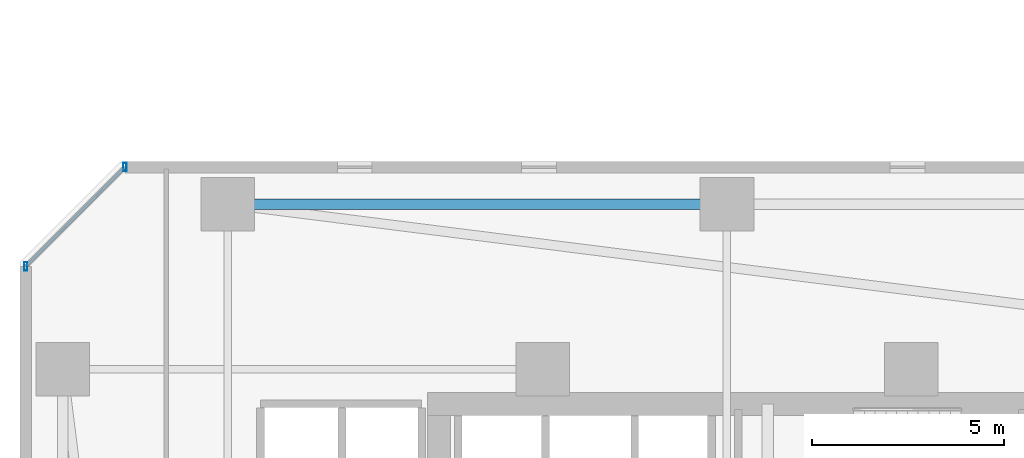
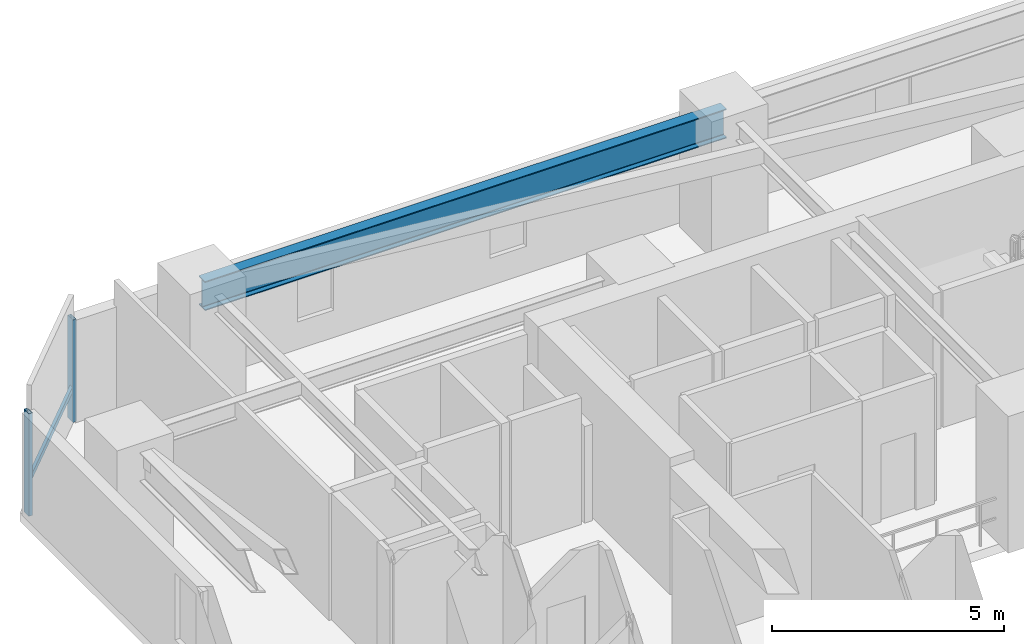
# One storey, part 8 of 35: 3 members, 1 beam, 1 element without a shape of its own.
"""IFC4 building model written with IfcOpenShell, lengths in metres."""

import ifcopenshell
import ifcopenshell.guid

model = None  # the IFC model being written
_history = None  # IfcOwnerHistory: only IFC2X3 demands one
_inside = {}  # id of a spatial element -> (the spatial element, [elements in it])
_under = {}  # id of a project, library or spatial element -> (it, [spatial elements below it])
_declared = {}  # id of a project -> (the project, [libraries it declares])
_typed = {}  # id of a type object -> (the type object, [elements of that type])
_made_of = {}  # id of a material, layer set ... -> (it, [elements and type objects made of it])


def new_model(schema):
    """Start an empty IFC model of exactly this schema.

    Asked for "IFC4X3", IfcOpenShell would pick the latest addendum, in which some entities
    have other attributes; the version numbers below select the first issue.
    IFC2X3 requires an IfcOwnerHistory on every rooted entity: one is made here for all.
    """
    global model, _history
    if schema == "IFC4X3":
        model = ifcopenshell.file(schema_version=(4, 3, 0, 0))
    else:
        model = ifcopenshell.file(schema=schema)
    _inside.clear()
    _under.clear()
    _declared.clear()
    _typed.clear()
    _made_of.clear()
    _history = None
    if model.schema == "IFC2X3":
        org = make("IfcOrganization", Name="unknown")
        user = make(
            "IfcPersonAndOrganization",
            ThePerson=make("IfcPerson", FamilyName="unknown"),
            TheOrganization=org,
        )
        app = make(
            "IfcApplication",
            ApplicationDeveloper=org,
            Version="unknown",
            ApplicationFullName="unknown",
            ApplicationIdentifier="unknown",
        )
        _history = make(
            "IfcOwnerHistory",
            OwningUser=user,
            OwningApplication=app,
            ChangeAction="ADDED",
            CreationDate=0,
        )
    return model


def make(cls, **values):
    """One entity of the class cls with the attributes given. An attribute that is None is left unset."""
    return model.create_entity(
        cls, **{name: value for name, value in values.items() if value is not None}
    )


def rooted(cls, **values):
    """An entity with a GlobalId (a new one), such as an element, a storey or a relation."""
    return make(cls, GlobalId=ifcopenshell.guid.new(), OwnerHistory=_history, **values)


def si_unit(unit_type, name, prefix=None):
    """IfcSIUnit, for example si_unit("LENGTHUNIT", "METRE", prefix="MILLI")."""
    return make("IfcSIUnit", UnitType=unit_type, Prefix=prefix, Name=name)


def assignment(units):
    """IfcUnitAssignment: the units of a project."""
    return None if units is None else make("IfcUnitAssignment", Units=units)


def point(xyz):
    """IfcCartesianPoint."""
    return None if xyz is None else make("IfcCartesianPoint", Coordinates=xyz)


def direction(xyz):
    """IfcDirection."""
    return None if xyz is None else make("IfcDirection", DirectionRatios=xyz)


def frame(location, z_axis=None, x_axis=None):
    """IfcAxis2Placement3D, a coordinate frame: its origin and axes. An axis left out is left unset."""
    return make(
        "IfcAxis2Placement3D",
        Location=point(location),
        Axis=direction(z_axis),
        RefDirection=direction(x_axis),
    )


def frame_2d(location, x_axis=None):
    """IfcAxis2Placement2D, a coordinate frame in the plane: its origin and x axis."""
    return make(
        "IfcAxis2Placement2D", Location=point(location), RefDirection=direction(x_axis)
    )


def origin():
    """The frame at (0, 0, 0) with its axes left unset."""
    return frame((0.0, 0.0, 0.0))


def origin_2d():
    """The frame at (0, 0) in the plane with its x axis left unset."""
    return frame_2d((0.0, 0.0))


def place(relative_to, where):
    """IfcLocalPlacement: puts the frame where relative to a parent placement (None: the world)."""
    return make(
        "IfcLocalPlacement", PlacementRelTo=relative_to, RelativePlacement=where
    )


def context(
    kind, dimensions, precision=None, world=None, true_north=None, identifier=None
):
    """IfcGeometricRepresentationContext, for example the 3D "Model" context."""
    return make(
        "IfcGeometricRepresentationContext",
        ContextIdentifier=identifier,
        ContextType=kind,
        CoordinateSpaceDimension=dimensions,
        Precision=precision,
        WorldCoordinateSystem=world,
        TrueNorth=true_north,
    )


def subcontext(parent, identifier, kind, view, scale=None):
    """IfcGeometricRepresentationSubContext, for example "Body" below "Model"."""
    return make(
        "IfcGeometricRepresentationSubContext",
        ContextIdentifier=identifier,
        ContextType=kind,
        ParentContext=parent,
        TargetScale=scale,
        TargetView=view,
    )


def project(units=None, contexts=None):
    """IfcProject with its units and contexts."""
    return rooted(
        "IfcProject",
        Name="project",
        RepresentationContexts=contexts,
        UnitsInContext=assignment(units),
    )


def spatial(cls, under=None, at=None, **own):
    """A site, building, storey or space (cls), placed at a placement, below another one or the project."""
    s = rooted(cls, ObjectPlacement=at, **own)
    if under is not None:
        _under.setdefault(under.id(), (under, []))[1].append(s)
    return s


def profile(cls, at=None, kind="AREA", **sizes):
    """A parametric profile (cls). Its sizes go by their IFC names, for example OverallWidth=200.0."""
    return make(cls, ProfileType=kind, Position=at, **sizes)


def hollow_rectangle(**sizes):
    """IfcRectangleHollowProfileDef."""
    return profile("IfcRectangleHollowProfileDef", **sizes)


def i_section(**sizes):
    """IfcIShapeProfileDef."""
    return profile("IfcIShapeProfileDef", **sizes)


def extrude(swept, where, along, depth):
    """IfcExtrudedAreaSolid: the profile swept, set in the frame where, extruded along a direction by depth."""
    return make(
        "IfcExtrudedAreaSolid",
        SweptArea=swept,
        Position=where,
        ExtrudedDirection=direction(along),
        Depth=depth,
    )


def shape(context_of_items, identifier, shape_type, items):
    """IfcShapeRepresentation: the items that make up one representation, for example the "Body"."""
    return make(
        "IfcShapeRepresentation",
        ContextOfItems=context_of_items,
        RepresentationIdentifier=identifier,
        RepresentationType=shape_type,
        Items=items,
    )


def material(Name=None, Category=None):
    """IfcMaterial."""
    return make("IfcMaterial", Name=Name, Category=Category)


def material_profile(
    of_material, cross_section, Name=None, Category=None, Priority=None
):
    """IfcMaterialProfile: a cross section and its material."""
    return make(
        "IfcMaterialProfile",
        Name=Name,
        Material=of_material,
        Profile=cross_section,
        Priority=Priority,
        Category=Category,
    )


def profile_set(profiles, Name=None, composite=None):
    """IfcMaterialProfileSet."""
    return make(
        "IfcMaterialProfileSet",
        Name=Name,
        MaterialProfiles=profiles,
        CompositeProfile=composite,
    )


def made_of(thing, what):
    """Note that an element or type object is made of a material, layer set ...; save() writes the relation."""
    if what is not None:
        _made_of.setdefault(what.id(), (what, []))[1].append(thing)
    return thing


def type_object(cls, material=None, **own):
    """A type object (cls), such as IfcWallType, which elements share."""
    return made_of(rooted(cls, **own), material)


def element(
    cls,
    number,
    at=None,
    inside=None,
    cuts=None,
    type_object=None,
    material=None,
    context=None,
    identifier="Body",
    shape_type=None,
    held_by="IfcProductDefinitionShape",
    body=None,
    shapes=None,
    **own,
):
    """One element of the class cls, such as IfcWall. Its Tag is "e" and its number.

    at: its placement. inside: the storey or other place that contains it. cuts: it is an
    opening in that element (IfcRelVoidsElement). A single representation is given by context,
    identifier, shape_type and body (its items); several are given by shapes. held_by: the class
    of the entity that holds the representations. save() writes the other relations.
    """
    e = rooted(cls, Tag="e%d" % number, ObjectPlacement=at, **own)
    if body is not None:
        shapes = [shape(context, identifier, shape_type, body)]
    if shapes is not None:
        e.Representation = make(held_by, Representations=shapes)
    if inside is not None:
        _inside.setdefault(inside.id(), (inside, []))[1].append(e)
    if cuts is not None:
        rooted(
            "IfcRelVoidsElement", RelatingBuildingElement=cuts, RelatedOpeningElement=e
        )
    if type_object is not None:
        _typed.setdefault(type_object.id(), (type_object, []))[1].append(e)
    return made_of(e, material)


def aggregate(whole, parts):
    """IfcRelAggregates: a whole, such as a stair, and the parts it consists of."""
    return rooted("IfcRelAggregates", RelatingObject=whole, RelatedObjects=parts)


def save(model, path):
    """Write the relations noted so far, then the file.

    IfcRelAggregates (storeys below a building ...), IfcRelContainedInSpatialStructure (elements
    in a storey), IfcRelDefinesByType, IfcRelAssociatesMaterial and IfcRelDeclares: one each for
    every whole, place, type object, material and project.
    """
    for whole, parts in _under.values():
        aggregate(whole, parts)
    for where, things in _inside.values():
        rooted(
            "IfcRelContainedInSpatialStructure",
            RelatedElements=things,
            RelatingStructure=where,
        )
    for kind, things in _typed.values():
        rooted("IfcRelDefinesByType", RelatedObjects=things, RelatingType=kind)
    for what, things in _made_of.values():
        rooted("IfcRelAssociatesMaterial", RelatedObjects=things, RelatingMaterial=what)
    for by, libraries in _declared.values():
        rooted("IfcRelDeclares", RelatingContext=by, RelatedDefinitions=libraries)
    model.write(path)


model = new_model("IFC4")

# Units and contexts
model_context = context("Model", 3, precision=1e-05, world=origin(), true_north=direction((0.0, 1.0)))
body_context = subcontext(model_context, "Body", "Model", "MODEL_VIEW")
ifc_project = project(units=[si_unit("LENGTHUNIT", "METRE"), si_unit("AREAUNIT", "SQUARE_METRE"), si_unit("VOLUMEUNIT", "CUBIC_METRE"), si_unit("PLANEANGLEUNIT", "RADIAN"), si_unit("MASSUNIT", "GRAM", prefix="KILO")], contexts=[model_context])

# Site, building, storey
site_placement = place(None, origin())
site = spatial("IfcSite", under=ifc_project, at=site_placement, CompositionType="ELEMENT")
building_placement = place(site_placement, origin())
building = spatial("IfcBuilding", under=site, at=building_placement, Name="Thornwick Lancets Civic Towers", CompositionType="ELEMENT")
storey_placement = place(building_placement, frame((0.0, 0.0, 64.5)))
storey = spatial("IfcBuildingStorey", under=building, at=storey_placement, Name="L16", CompositionType="ELEMENT", Elevation=64.5)

# Beam
ifc_material_1 = material(Name="Steel S355JR", Category="steel")
ifc_material_profile_1 = material_profile(ifc_material_1, i_section(OverallWidth=0.26806640625, OverallDepth=0.769775390625, WebThickness=0.015625, FlangeThickness=0.025390625, FilletRadius=0.0166015625, at=origin_2d()), Name="UKB 762x267x197")
ifc_profile_set_1 = profile_set([ifc_material_profile_1], Name="Steel S355JR")
beam_type = type_object("IfcBeamType", Name="BM_GIRD_762_197", PredefinedType="BEAM", material=ifc_profile_set_1)
beam_placement = place(storey_placement, frame((12.5, 44.300048828125, 2.97509765625), z_axis=(1.0, 0.0, 0.0), x_axis=(0.0, 1.0, 0.0)))
element("IfcBeam", 1, at=beam_placement, inside=storey, type_object=beam_type, Name="BM-SPINE-L16-A-6-7", PredefinedType="BEAM", context=body_context, shape_type="SweptSolid", body=[
    extrude(i_section(OverallWidth=0.26806640625, OverallDepth=0.769775390625, WebThickness=0.015625, FlangeThickness=0.025390625, FilletRadius=0.0166015625, at=origin_2d()), origin(), (0.0, 0.0, 1.0), 13.0),
])

# Curtain wall, members
ifc_material_2 = material(Name="Low-zone chamfered-corner unitised glass curtain wall", Category="glass")
curtain_wall_type = type_object("IfcCurtainWallType", Name="CW_SYS_03", PredefinedType="NOTDEFINED", material=ifc_material_2)
curtain_wall_placement = place(storey_placement, origin())
curtain_wall = element("IfcCurtainWall", 2, at=curtain_wall_placement, inside=storey, type_object=curtain_wall_type, Name="L16 Curtain Wall CW-L16-A-E5", PredefinedType="NOTDEFINED")
ifc_material_3 = material(Name="Thermally broken bronze aluminium S355", Category="steel")
ifc_material_profile_2 = material_profile(ifc_material_3, hollow_rectangle(XDim=0.090087890625, YDim=0.219970703125, WallThickness=0.00634765625, at=origin_2d()), Name="RHS 220x90x6.3")
ifc_profile_set_2 = profile_set([ifc_material_profile_2], Name="Thermally broken bronze aluminium S355")
member_type_1 = type_object("IfcMemberType", Name="CW_MUL_220", PredefinedType="MULLION", material=ifc_profile_set_2)
member_1_placement = place(storey_placement, frame((9.81884765625, 45.264892578125, 0.0), z_axis=(0.0, 0.0, 1.0), x_axis=(1.0, 0.0, 0.0)))
member_1 = element("IfcMember", 3, at=member_1_placement, type_object=member_type_1, Name="CW-L16-A-E5 Mullion 0", PredefinedType="MULLION", context=body_context, shape_type="SweptSolid", body=[
    extrude(hollow_rectangle(XDim=0.090087890625, YDim=0.219970703125, WallThickness=0.00634765625, at=origin_2d()), origin(), (0.0, 0.0, 1.0), 2.699951171875),
])
member_2_placement = place(storey_placement, frame((7.235107421875, 42.68115234375, 0.0), z_axis=(0.0, 0.0, 1.0), x_axis=(1.0, 0.0, 0.0)))
member_2 = element("IfcMember", 4, at=member_2_placement, type_object=member_type_1, Name="CW-L16-A-E5 Mullion 1", PredefinedType="MULLION", context=body_context, shape_type="SweptSolid", body=[
    extrude(hollow_rectangle(XDim=0.090087890625, YDim=0.219970703125, WallThickness=0.00634765625, at=origin_2d()), origin(), (0.0, 0.0, 1.0), 2.699951171875),
])
ifc_material_profile_3 = material_profile(ifc_material_3, hollow_rectangle(XDim=0.074951171875, YDim=0.14990234375, WallThickness=0.0048828125, at=origin_2d()), Name="RHS 150x75x5")
ifc_profile_set_3 = profile_set([ifc_material_profile_3], Name="Thermally broken bronze aluminium S355")
member_type_2 = type_object("IfcMemberType", Name="CW_TRN_150", PredefinedType="USERDEFINED", material=ifc_profile_set_3)
member_3_placement = place(storey_placement, frame((9.8046875, 45.250732421875, 0.85009765625), z_axis=(-0.707106781187, -0.707106781187, 0.0), x_axis=(0.707106781187, -0.707106781187, 0.0)))
member_3 = element("IfcMember", 5, at=member_3_placement, type_object=member_type_2, Name="CW-L16-A-E5 Transom 0", ObjectType="TRANSOM", PredefinedType="USERDEFINED", context=body_context, shape_type="SweptSolid", body=[
    extrude(hollow_rectangle(XDim=0.074951171875, YDim=0.14990234375, WallThickness=0.0048828125, at=origin_2d()), origin(), (0.0, 0.0, 1.0), 3.614013671875),
])
aggregate(curtain_wall, [member_1, member_2, member_3])

save(model, "model.ifc")
